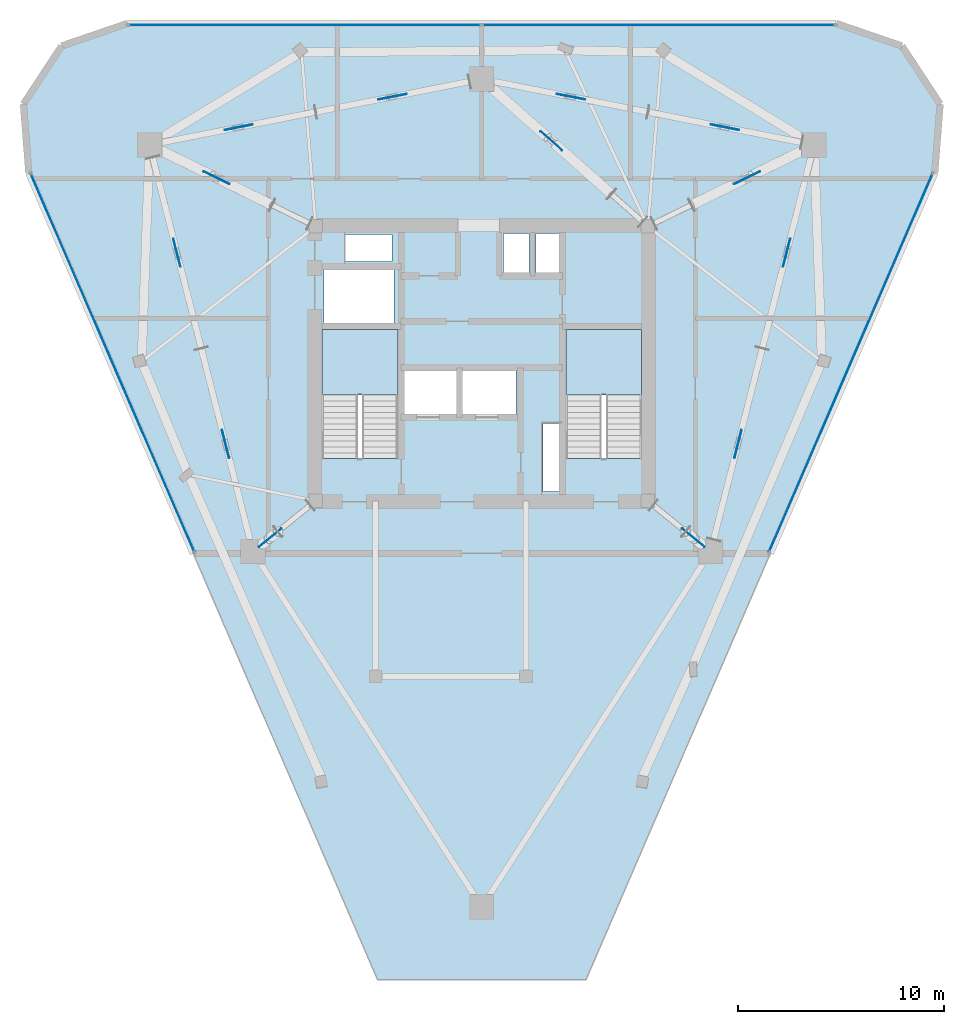
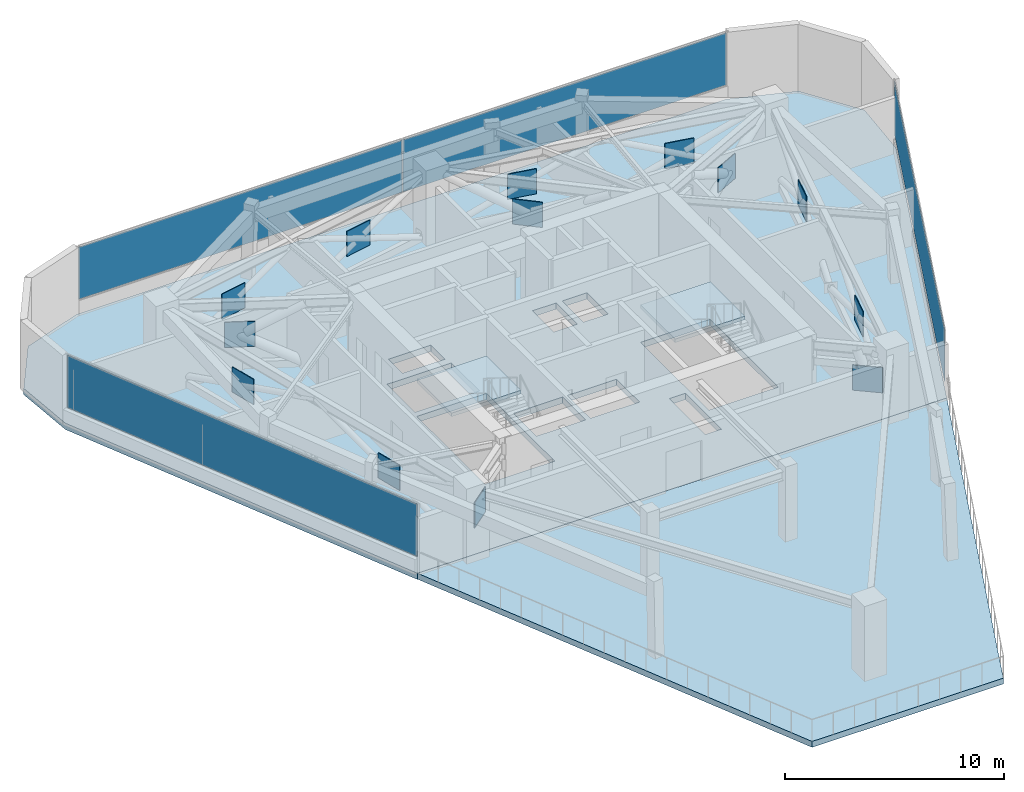
# One storey, part 6 of 10: 17 plates, 4 slabs, 5 elements without a shape of their own.
"""IFC4 building model written with IfcOpenShell, lengths in metres."""

from ifc_helpers import new_model, si_unit, direction, frame, origin, origin_2d, place, context, subcontext, project, spatial, polyline, rectangle, outline, extrude, material, layer, layer_set, type_object, element, aggregate, save


model = new_model("IFC4")

# Units and contexts
model_context = context("Model", 3, precision=1e-05, world=origin(), true_north=direction((0.0, 1.0)))
body_context = subcontext(model_context, "Body", "Model", "MODEL_VIEW")
ifc_project = project(units=[si_unit("LENGTHUNIT", "METRE"), si_unit("AREAUNIT", "SQUARE_METRE"), si_unit("VOLUMEUNIT", "CUBIC_METRE"), si_unit("PLANEANGLEUNIT", "RADIAN"), si_unit("MASSUNIT", "GRAM", prefix="KILO")], contexts=[model_context])

# Site, building, storey
site_placement = place(None, origin())
site = spatial("IfcSite", under=ifc_project, at=site_placement, CompositionType="ELEMENT")
building_placement = place(site_placement, origin())
building = spatial("IfcBuilding", under=site, at=building_placement, Name="Talyreon Biosciences Tower", CompositionType="ELEMENT")
storey_placement = place(building_placement, frame((0.0, 0.0, 275.39990234375)))
storey = spatial("IfcBuildingStorey", under=building, at=storey_placement, Name="L73", CompositionType="ELEMENT", Elevation=275.39990234375)

# Curtain wall, plates
ifc_material_1 = material(Name="Thermally broken aluminium and low-E glazing", Category="aluminium")
ifc_layer_1 = layer(ifc_material_1, 0.175048828125)
ifc_layer_set_1 = layer_set([ifc_layer_1], Name="Thermally broken aluminium and low-E glazing")
curtain_wall_type = type_object("IfcCurtainWallType", Name="CurtainWall_Zone5CompLab", PredefinedType="NOTDEFINED", material=ifc_layer_set_1)
curtain_wall_1_placement = place(storey_placement, origin())
curtain_wall_1 = element("IfcCurtainWall", 1, at=curtain_wall_1_placement, inside=storey, type_object=curtain_wall_type, Name="L73 Unitised Curtain Wall FCW-L73-03", PredefinedType="NOTDEFINED")
ifc_material_2 = material(Name="Triple-silver low-E insulated glazing", Category="glass")
ifc_layer_2 = layer(ifc_material_2, 0.031982421875)
ifc_layer_set_2 = layer_set([ifc_layer_2], Name="Triple-silver low-E insulated glazing")
plate_type_1 = type_object("IfcPlateType", Name="CWGlazingPanel_32", PredefinedType="CURTAIN_PANEL", material=ifc_layer_set_2)
plate_1_placement = place(storey_placement, frame((57.4296875, 84.404052734375, 0.875), z_axis=(0.0, 0.0, 1.0), x_axis=(1.0, 0.0, 0.0)))
plate_1 = element("IfcPlate", 2, at=plate_1_placement, type_object=plate_type_1, Name="CW6 panel 1.1", PredefinedType="CURTAIN_PANEL", context=body_context, shape_type="SweptSolid", body=[
    extrude(rectangle(XDim=17.07568359375, YDim=0.031982421875, at=origin_2d()), origin(), (0.0, 0.0, 1.0), 2.909912109375),
])
plate_2_placement = place(storey_placement, frame((74.5703125, 84.404052734375, 0.875), z_axis=(0.0, 0.0, 1.0), x_axis=(1.0, 0.0, 0.0)))
plate_2 = element("IfcPlate", 3, at=plate_2_placement, type_object=plate_type_1, Name="CW6 panel 2.1", PredefinedType="CURTAIN_PANEL", context=body_context, shape_type="SweptSolid", body=[
    extrude(rectangle(XDim=17.07568359375, YDim=0.031982421875, at=origin_2d()), origin(), (0.0, 0.0, 1.0), 2.909912109375),
])
aggregate(curtain_wall_1, [plate_1, plate_2])

# Curtain wall, plate
curtain_wall_2_placement = place(storey_placement, origin())
curtain_wall_2 = element("IfcCurtainWall", 4, at=curtain_wall_2_placement, inside=storey, type_object=curtain_wall_type, Name="L73 Unitised Curtain Wall FCW-L73-07", PredefinedType="NOTDEFINED")
plate_3_placement = place(storey_placement, frame((83.89013671875, 68.0419921875, 0.875), z_axis=(0.0, 0.0, 1.0), x_axis=(-0.39688868608, -0.917866750058, 0.0)))
plate_3 = element("IfcPlate", 5, at=plate_3_placement, type_object=plate_type_1, Name="CW6 panel 1.1", PredefinedType="CURTAIN_PANEL", context=body_context, shape_type="SweptSolid", body=[
    extrude(rectangle(XDim=19.938720703125, YDim=0.031982421875, at=origin_2d()), origin(), (0.0, 0.0, 1.0), 2.909912109375),
])
aggregate(curtain_wall_2, [plate_3])

curtain_wall_3_placement = place(storey_placement, origin())
curtain_wall_3 = element("IfcCurtainWall", 6, at=curtain_wall_3_placement, inside=storey, type_object=curtain_wall_type, Name="L73 Unitised Curtain Wall FCW-L73-09", PredefinedType="NOTDEFINED")
plate_4_placement = place(storey_placement, frame((48.10986328125, 68.0419921875, 0.875), z_axis=(0.0, 0.0, 1.0), x_axis=(-0.39688868608, 0.917866750058, 0.0)))
plate_4 = element("IfcPlate", 7, at=plate_4_placement, type_object=plate_type_1, Name="CW6 panel 1.1", PredefinedType="CURTAIN_PANEL", context=body_context, shape_type="SweptSolid", body=[
    extrude(rectangle(XDim=19.938720703125, YDim=0.031982421875, at=origin_2d()), origin(), (0.0, 0.0, 1.0), 2.909912109375),
])
aggregate(curtain_wall_3, [plate_4])

# Slabs
ifc_material_3 = material(Name="Concrete C50/60", Category="concrete")
ifc_layer_3 = layer(ifc_material_3, 0.35009765625)
ifc_layer_set_3 = layer_set([ifc_layer_3], Name="Concrete C50/60")
slab_type_1 = type_object("IfcSlabType", Name="PlantOutriggerSlab_350", PredefinedType="FLOOR", material=ifc_layer_set_3)
slab_1_placement = place(storey_placement, frame((0.0, 0.0, -0.349853515625)))
element("IfcSlab", 8, at=slab_1_placement, inside=storey, type_object=slab_type_1, Name="L73 Structural Floor Slab", PredefinedType="FLOOR", context=body_context, shape_type="SweptSolid", body=[
    extrude(outline(polyline([(44.053955078125, 77.22021484375), (43.79052734375, 80.578369140625), (45.64013671875, 83.393310546875), (48.826904296875, 84.484130859375), (83.173095703125, 84.484130859375), (86.35986328125, 83.393310546875), (88.20947265625, 80.578369140625), (87.946044921875, 77.22021484375), (79.98095703125, 58.800048828125), (52.01904296875, 58.800048828125), (44.053955078125, 77.22021484375)]), holes=[polyline([(69.820068359375, 65.10009765625), (69.820068359375, 61.800048828125), (68.9599609375, 61.800048828125), (68.9599609375, 65.10009765625), (69.820068359375, 65.10009765625)]), polyline([(61.929931640625, 69.64990234375), (61.929931640625, 63.407958984375), (58.25, 63.407958984375), (58.25, 69.64990234375), (61.929931640625, 69.64990234375)]), polyline([(73.75, 69.64990234375), (73.75, 63.407958984375), (70.070068359375, 63.407958984375), (70.070068359375, 69.64990234375), (73.75, 69.64990234375)]), polyline([(64.800048828125, 67.64990234375), (64.800048828125, 65.550048828125), (62.199951171875, 65.550048828125), (62.199951171875, 67.64990234375), (64.800048828125, 67.64990234375)]), polyline([(67.64990234375, 67.64990234375), (67.64990234375, 65.550048828125), (65.050048828125, 65.550048828125), (65.050048828125, 67.64990234375), (67.64990234375, 67.64990234375)]), polyline([(61.75, 72.550048828125), (61.75, 69.97998046875), (58.35009765625, 69.97998046875), (58.35009765625, 72.550048828125), (61.75, 72.550048828125)]), polyline([(68.300048828125, 74.300048828125), (68.300048828125, 72.35009765625), (67.050048828125, 72.35009765625), (67.050048828125, 74.300048828125), (68.300048828125, 74.300048828125)]), polyline([(69.919921875, 72.35009765625), (68.6201171875, 72.35009765625), (68.6201171875, 74.300048828125), (69.919921875, 74.300048828125), (69.919921875, 72.35009765625)]), polyline([(61.64990234375, 72.9599609375), (59.39990234375, 72.9599609375), (59.39990234375, 74.25), (61.64990234375, 74.25), (61.64990234375, 72.9599609375)])]), origin(), (0.0, 0.0, 1.0), 0.349853515625),
])
ifc_material_4 = material(Name="Concrete C40/50", Category="concrete")
ifc_layer_4 = layer(ifc_material_4, 0.330078125)
ifc_layer_set_4 = layer_set([ifc_layer_4], Name="Concrete C40/50")
slab_type_2 = type_object("IfcSlabType", Name="SkyGardenTerraceRoof_330", PredefinedType="ROOF", material=ifc_layer_set_4)
slab_2_placement = place(storey_placement, frame((0.0, 0.0, -0.329833984375)))
element("IfcSlab", 9, at=slab_2_placement, inside=storey, type_object=slab_type_2, Name="L73 Wind Portal Outdoor Deck", PredefinedType="ROOF", context=body_context, shape_type="SweptSolid", body=[
    extrude(outline(polyline([(52.01904296875, 58.800048828125), (79.98095703125, 58.800048828125), (71.0537109375, 38.154052734375), (60.9462890625, 38.154052734375), (52.01904296875, 58.800048828125)])), origin(), (0.0, 0.0, 1.0), 0.329833984375),
])

# Stair, slab
stair_type = type_object("IfcStairType", Name="DoglegEscapeStair_4200", PredefinedType="HALF_TURN_STAIR", material=ifc_material_4)
stair_1_placement = place(storey_placement, origin())
stair_1 = element("IfcStair", 10, at=stair_1_placement, inside=storey, type_object=stair_type, Name="L73 Core Escape Stair 1", PredefinedType="HALF_TURN_STAIR")
ifc_layer_5 = layer(ifc_material_4, 0.199951171875)
ifc_layer_set_5 = layer_set([ifc_layer_5], Name="Concrete C40/50")
slab_type_3 = type_object("IfcSlabType", Name="StairLandingSlab_200", PredefinedType="LANDING", material=ifc_layer_set_5)
slab_3_placement = place(storey_placement, frame((0.0, 0.0, 1.900146484375)))
slab_3 = element("IfcSlab", 11, at=slab_3_placement, type_object=slab_type_3, Name="ST-1 landing 1", PredefinedType="LANDING", context=body_context, shape_type="SweptSolid", body=[
    extrude(outline(polyline([(61.929931640625, 66.47998046875), (61.929931640625, 69.64990234375), (58.25, 69.64990234375), (58.25, 66.47998046875), (61.929931640625, 66.47998046875)])), origin(), (0.0, 0.0, 1.0), 0.199951171875),
])
aggregate(stair_1, [slab_3])

stair_2_placement = place(storey_placement, origin())
stair_2 = element("IfcStair", 12, at=stair_2_placement, inside=storey, type_object=stair_type, Name="L73 Core Escape Stair 2", PredefinedType="HALF_TURN_STAIR")
slab_4_placement = place(storey_placement, frame((0.0, 0.0, 1.900146484375)))
slab_4 = element("IfcSlab", 13, at=slab_4_placement, type_object=slab_type_3, Name="ST-2 landing 1", PredefinedType="LANDING", context=body_context, shape_type="SweptSolid", body=[
    extrude(outline(polyline([(73.75, 66.47998046875), (73.75, 69.64990234375), (70.070068359375, 69.64990234375), (70.070068359375, 66.47998046875), (73.75, 66.47998046875)])), origin(), (0.0, 0.0, 1.0), 0.199951171875),
])
aggregate(stair_2, [slab_4])

# Plates
ifc_material_5 = material(Name="Steel SM355", Category="steel")
ifc_layer_6 = layer(ifc_material_5, 0.035888671875)
ifc_layer_set_6 = layer_set([ifc_layer_6], Name="Steel SM355")
plate_type_2 = type_object("IfcPlateType", Name="TrussGussetNodePlate_36", PredefinedType="SHEET", material=ifc_layer_set_6)
for number, where, z_axis, x_axis, name in (
    (14, (76.242919921875, 59.566162109375, 1.22021484375), (0.0, 0.0, 1.0), (0.775793175051, -0.630987281602, 0.0), "Truss node plate NP-OUT-L73-R2-X"),
    (15, (78.857421875, 77.00732421875, 1.22021484375), (0.0, 0.0, 1.0), (0.89785858505, 0.440283955252, 0.0), "Truss node plate NP-OUT-L73-R3-X"),
    (16, (69.3740234375, 78.796630859375, 1.22021484375), (0.0, 0.0, 1.0), (-0.748168780198, 0.663508459883, 0.0), "Truss node plate NP-OUT-L73-R4-X"),
    (17, (53.142578125, 77.00732421875, 1.22021484375), (0.0, 0.0, 1.0), (-0.89785858505, 0.440283955252, 0.0), "Truss node plate NP-OUT-L73-R5-X"),
    (18, (55.757080078125, 59.566162109375, 1.22021484375), (0.0, 0.0, 1.0), (-0.775793175051, -0.630987281602, 0.0), "Truss node plate NP-OUT-L73-R6-X"),
    (19, (78.415283203125, 64.105712890625, 1.22021484375), (0.0, 0.0, 1.0), (0.246542347409, 0.969132019352, 0.0), "Truss node plate NP-BELT-L73-B2S1-X"),
    (20, (80.773193359375, 73.37353515625, 1.22021484375), (0.0, 0.0, 1.0), (0.246542347409, 0.969132019352, 0.0), "Truss node plate NP-BELT-L73-B2S2-X"),
    (21, (77.777587890625, 79.45556640625, 1.22021484375), (0.0, 0.0, 1.0), (-0.980931417826, 0.194354196051, 0.0), "Truss node plate NP-BELT-L73-B3S1-X"),
    (22, (70.32470703125, 80.93212890625, 1.22021484375), (0.0, 0.0, 1.0), (-0.980931417826, 0.194354196051, 0.0), "Truss node plate NP-BELT-L73-B3S2-X"),
    (23, (61.67529296875, 80.93212890625, 1.22021484375), (0.0, 0.0, 1.0), (-0.980931417826, -0.194354196051, 0.0), "Truss node plate NP-BELT-L73-B4S1-X"),
    (24, (54.222412109375, 79.45556640625, 1.22021484375), (0.0, 0.0, 1.0), (-0.980931417826, -0.194354196051, 0.0), "Truss node plate NP-BELT-L73-B4S2-X"),
    (25, (51.226806640625, 73.37353515625, 1.22021484375), (0.0, 0.0, 1.0), (0.246542347409, -0.969132019352, 0.0), "Truss node plate NP-BELT-L73-B5S1-X"),
    (26, (53.584716796875, 64.105712890625, 1.22021484375), (0.0, 0.0, 1.0), (0.246542347409, -0.969132019352, 0.0), "Truss node plate NP-BELT-L73-B5S2-X"),
):
    element("IfcPlate", number, at=place(storey_placement, frame(where, z_axis=z_axis, x_axis=x_axis)), inside=storey, type_object=plate_type_2, Name=name, PredefinedType="SHEET", context=body_context, shape_type="SweptSolid", body=[
        extrude(rectangle(XDim=1.39990234375, YDim=0.035888671875, at=origin_2d()), origin(), (0.0, 0.0, 1.0), 1.39990234375),
    ])

save(model, "model.ifc")
